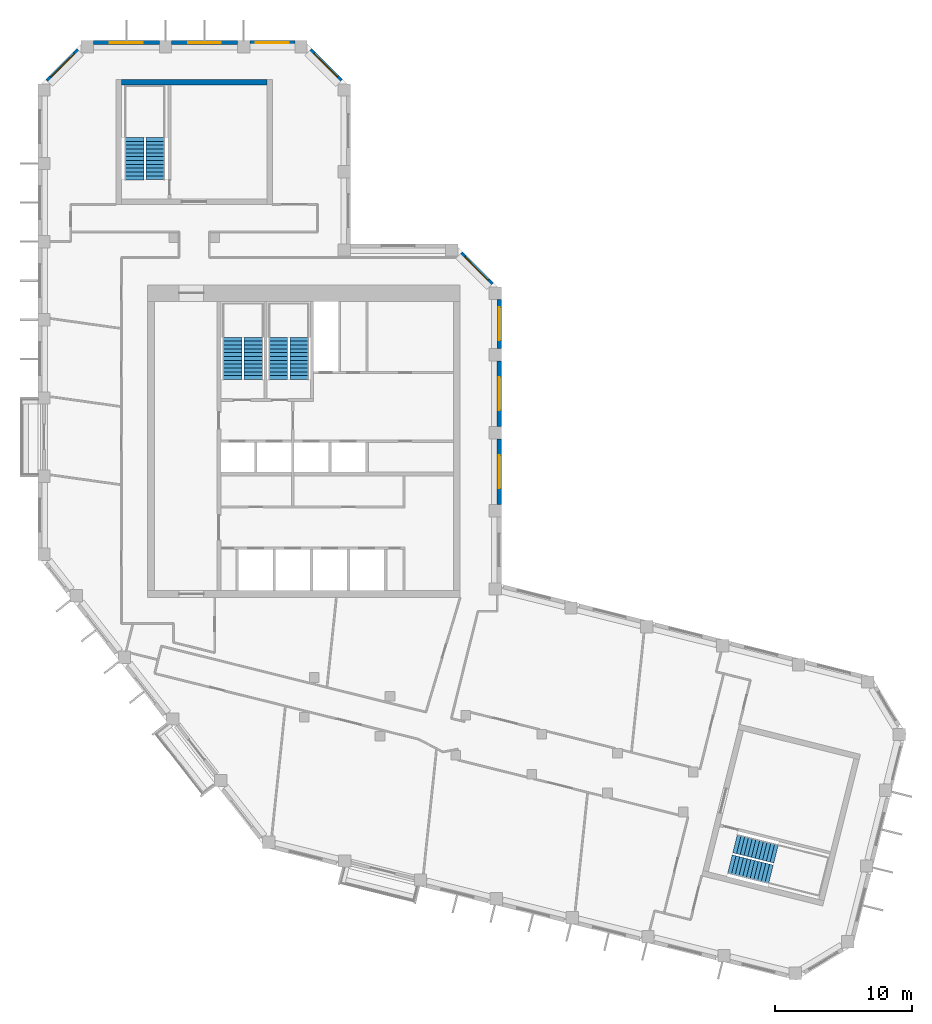
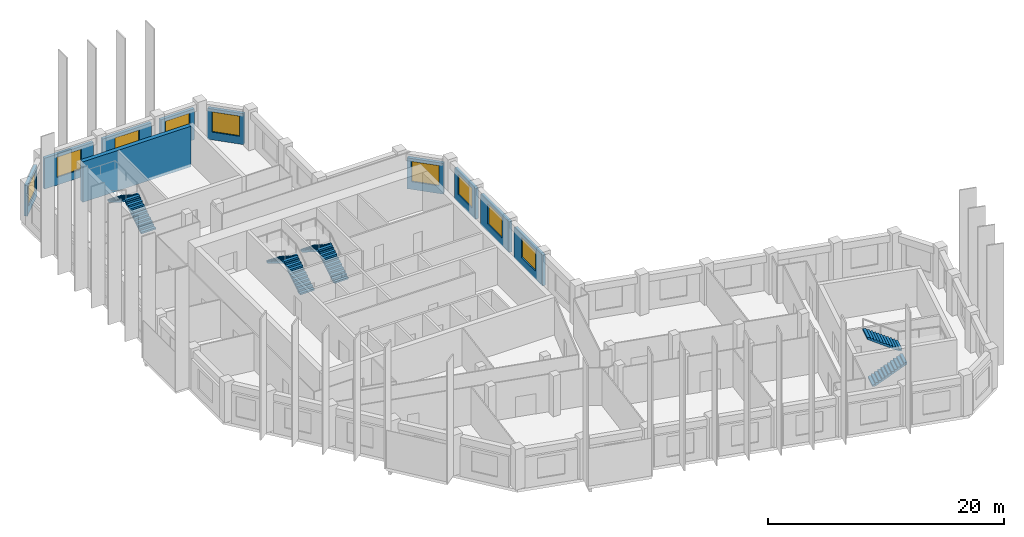
# One storey, part 7 of 8: 10 walls, 9 windows, 8 stair flights, 9 openings, 4 elements without a shape of their own.
"""IFC4 building model written with IfcOpenShell, lengths in metres."""

from ifc_helpers import new_model, si_unit, direction, frame, frame_2d, origin, place, context, subcontext, project, spatial, polyline, rectangle, outline, extrude, material, layer, layer_set, type_object, element, fill, aggregate, save


model = new_model("IFC4")

# Units and contexts
model_context = context("Model", 3, precision=1e-05, world=origin(), true_north=direction((0.0, 1.0)))
body_context = subcontext(model_context, "Body", "Model", "MODEL_VIEW")
ifc_project = project(units=[si_unit("LENGTHUNIT", "METRE"), si_unit("AREAUNIT", "SQUARE_METRE"), si_unit("VOLUMEUNIT", "CUBIC_METRE"), si_unit("PLANEANGLEUNIT", "RADIAN"), si_unit("MASSUNIT", "GRAM", prefix="KILO")], contexts=[model_context])

# Site, building, storey
site_placement = place(None, origin())
site = spatial("IfcSite", under=ifc_project, at=site_placement, CompositionType="ELEMENT")
building_placement = place(site_placement, origin())
building = spatial("IfcBuilding", under=site, at=building_placement, Name="Meshkara Civic Tower", CompositionType="ELEMENT")
storey_placement = place(building_placement, frame((0.0, 0.0, 387.60009765625)))
storey = spatial("IfcBuildingStorey", under=building, at=storey_placement, Name="L89", CompositionType="ELEMENT", Elevation=387.60009765625)

# Wall, opening, window
ifc_material_1 = material(Name="Insulated infill panel with bronze anodised aluminium cladding", Category="aluminium")
ifc_layer_1 = layer(ifc_material_1, 0.300048828125)
ifc_layer_set_1 = layer_set([ifc_layer_1], Name="EXTERNAL INFILL WALL 300")
wall_type_1 = type_object("IfcWallType", Name="EXTERNAL INFILL WALL 300", PredefinedType="SOLIDWALL", material=ifc_layer_set_1)
wall_1_placement = place(storey_placement, frame((33.64990234375, 20.868896484375, 0.0), z_axis=(0.0, 0.0, 1.0), x_axis=(0.0, 1.0, 0.0)))
wall_1 = element("IfcWall", 1, at=wall_1_placement, inside=storey, type_object=wall_type_1, Name="External wall", PredefinedType="SOLIDWALL", context=body_context, shape_type="SweptSolid", body=[
    extrude(rectangle(XDim=4.800048828125, YDim=0.300048828125, at=frame_2d((2.39990234375, 0.0))), origin(), (0.0, 0.0, 1.0), 3.199951171875),
])
opening_1_placement = place(wall_1_placement, frame((1.199951171875, 0.0, 0.800048828125)))
opening_1 = element("IfcOpeningElement", 2, at=opening_1_placement, cuts=wall_1, Name="Opening W7", PredefinedType="OPENING", context=body_context, shape_type="SweptSolid", body=[
    extrude(rectangle(XDim=2.39990234375, YDim=2.10009765625, at=frame_2d((1.199951171875, 1.050048828125))), frame((0.0, 0.159912109375, 0.0), z_axis=(0.0, -1.0, 0.0), x_axis=(1.0, 0.0, 0.0)), (0.0, 0.0, 1.0), 0.320068359375),
])
ifc_material_2 = material(Name="Tinted double glazing", Category="glass")
window_type = type_object("IfcWindowType", Name="WINDOW 2400x2100", PartitioningType="DOUBLE_PANEL_VERTICAL", PredefinedType="WINDOW", material=ifc_material_2)
window_1_placement = place(opening_1_placement, origin())
window_1 = element("IfcWindow", 3, at=window_1_placement, inside=storey, type_object=window_type, Name="Window", OverallHeight=2.10009765625, OverallWidth=2.39990234375, PartitioningType="DOUBLE_PANEL_VERTICAL", PredefinedType="WINDOW", context=body_context, shape_type="SweptSolid", body=[
    extrude(rectangle(XDim=2.39990234375, YDim=2.10009765625, at=frame_2d((1.199951171875, 1.050048828125))), frame((0.0, 0.030029296875, 0.0), z_axis=(0.0, -1.0, 0.0), x_axis=(1.0, 0.0, 0.0)), (0.0, 0.0, 1.0), 0.06005859375),
])
fill(opening_1, window_1)

wall_2_placement = place(storey_placement, frame((33.64990234375, 26.569091796875, 0.0), z_axis=(0.0, 0.0, 1.0), x_axis=(0.0, 1.0, 0.0)))
wall_2 = element("IfcWall", 4, at=wall_2_placement, inside=storey, type_object=wall_type_1, Name="External wall", PredefinedType="SOLIDWALL", context=body_context, shape_type="SweptSolid", body=[
    extrude(rectangle(XDim=4.7998046875, YDim=0.300048828125, at=frame_2d((2.39990234375, 0.0))), origin(), (0.0, 0.0, 1.0), 3.199951171875),
])
opening_2_placement = place(wall_2_placement, frame((1.199951171875, 0.0, 0.800048828125)))
opening_2 = element("IfcOpeningElement", 5, at=opening_2_placement, cuts=wall_2, Name="Opening W7", PredefinedType="OPENING", context=body_context, shape_type="SweptSolid", body=[
    extrude(rectangle(XDim=2.39990234375, YDim=2.10009765625, at=frame_2d((1.199951171875, 1.050048828125))), frame((0.0, 0.159912109375, 0.0), z_axis=(0.0, -1.0, 0.0), x_axis=(1.0, 0.0, 0.0)), (0.0, 0.0, 1.0), 0.320068359375),
])
window_2_placement = place(opening_2_placement, origin())
window_2 = element("IfcWindow", 6, at=window_2_placement, inside=storey, type_object=window_type, Name="Window", OverallHeight=2.10009765625, OverallWidth=2.39990234375, PartitioningType="DOUBLE_PANEL_VERTICAL", PredefinedType="WINDOW", context=body_context, shape_type="SweptSolid", body=[
    extrude(rectangle(XDim=2.39990234375, YDim=2.10009765625, at=frame_2d((1.199951171875, 1.050048828125))), frame((0.0, 0.030029296875, 0.0), z_axis=(0.0, -1.0, 0.0), x_axis=(1.0, 0.0, 0.0)), (0.0, 0.0, 1.0), 0.06005859375),
])
fill(opening_2, window_2)

wall_3_placement = place(storey_placement, frame((33.64990234375, 32.26904296875, 0.0), z_axis=(0.0, 0.0, 1.0), x_axis=(0.0, 1.0, 0.0)))
wall_3 = element("IfcWall", 7, at=wall_3_placement, inside=storey, type_object=wall_type_1, Name="External wall", PredefinedType="SOLIDWALL", context=body_context, shape_type="SweptSolid", body=[
    extrude(rectangle(XDim=3.574951171875, YDim=0.300048828125, at=frame_2d((1.78759765625, 0.0))), origin(), (0.0, 0.0, 1.0), 3.199951171875),
])
opening_3_placement = place(wall_3_placement, frame((0.587890625, 0.0, 0.800048828125)))
opening_3 = element("IfcOpeningElement", 8, at=opening_3_placement, cuts=wall_3, Name="Opening W7", PredefinedType="OPENING", context=body_context, shape_type="SweptSolid", body=[
    extrude(rectangle(XDim=2.39990234375, YDim=2.10009765625, at=frame_2d((1.199951171875, 1.050048828125))), frame((0.0, 0.159912109375, 0.0), z_axis=(0.0, -1.0, 0.0), x_axis=(1.0, 0.0, 0.0)), (0.0, 0.0, 1.0), 0.320068359375),
])
window_3_placement = place(opening_3_placement, origin())
window_3 = element("IfcWindow", 9, at=window_3_placement, inside=storey, type_object=window_type, Name="Window", OverallHeight=2.10009765625, OverallWidth=2.39990234375, PartitioningType="DOUBLE_PANEL_VERTICAL", PredefinedType="WINDOW", context=body_context, shape_type="SweptSolid", body=[
    extrude(rectangle(XDim=2.39990234375, YDim=2.10009765625, at=frame_2d((1.199951171875, 1.050048828125))), frame((0.0, 0.030029296875, 0.0), z_axis=(0.0, -1.0, 0.0), x_axis=(1.0, 0.0, 0.0)), (0.0, 0.0, 1.0), 0.06005859375),
])
fill(opening_3, window_3)

wall_4_placement = place(storey_placement, frame((33.112060546875, 36.9560546875, 0.0), z_axis=(0.0, 0.0, 1.0), x_axis=(-0.707145041435, 0.707068518868, 0.0)))
wall_4 = element("IfcWall", 10, at=wall_4_placement, inside=storey, type_object=wall_type_1, Name="External wall", PredefinedType="SOLIDWALL", context=body_context, shape_type="SweptSolid", body=[
    extrude(rectangle(XDim=3.1904296875, YDim=0.300048828125, at=frame_2d((1.59521484375, 0.0))), origin(), (0.0, 0.0, 1.0), 3.199951171875),
])
opening_4_placement = place(wall_4_placement, frame((0.39501953125, 0.0, 0.800048828125)))
opening_4 = element("IfcOpeningElement", 11, at=opening_4_placement, cuts=wall_4, Name="Opening W7", PredefinedType="OPENING", context=body_context, shape_type="SweptSolid", body=[
    extrude(rectangle(XDim=2.39990234375, YDim=2.10009765625, at=frame_2d((1.199951171875, 1.050048828125))), frame((0.0, 0.159912109375, 0.0), z_axis=(0.0, -1.0, 0.0), x_axis=(1.0, 0.0, 0.0)), (0.0, 0.0, 1.0), 0.320068359375),
])
window_4_placement = place(opening_4_placement, origin())
window_4 = element("IfcWindow", 12, at=window_4_placement, inside=storey, type_object=window_type, Name="Window", OverallHeight=2.10009765625, OverallWidth=2.39990234375, PartitioningType="DOUBLE_PANEL_VERTICAL", PredefinedType="WINDOW", context=body_context, shape_type="SweptSolid", body=[
    extrude(rectangle(XDim=2.39990234375, YDim=2.10009765625, at=frame_2d((1.199951171875, 1.050048828125))), frame((0.0, 0.030029296875, 0.0), z_axis=(0.0, -1.0, 0.0), x_axis=(1.0, 0.0, 0.0)), (0.0, 0.0, 1.0), 0.06005859375),
])
fill(opening_4, window_4)

wall_5_placement = place(storey_placement, frame((22.112060546875, 51.77587890625, 0.0), z_axis=(0.0, 0.0, 1.0), x_axis=(-0.707106781187, 0.707106781187, 0.0)))
wall_5 = element("IfcWall", 13, at=wall_5_placement, inside=storey, type_object=wall_type_1, Name="External wall", PredefinedType="SOLIDWALL", context=body_context, shape_type="SweptSolid", body=[
    extrude(rectangle(XDim=3.190673828125, YDim=0.300048828125, at=frame_2d((1.59521484375, 0.0))), origin(), (0.0, 0.0, 1.0), 3.199951171875),
])
opening_5_placement = place(wall_5_placement, frame((0.39501953125, 0.0, 0.800048828125)))
opening_5 = element("IfcOpeningElement", 14, at=opening_5_placement, cuts=wall_5, Name="Opening W7", PredefinedType="OPENING", context=body_context, shape_type="SweptSolid", body=[
    extrude(rectangle(XDim=2.39990234375, YDim=2.10009765625, at=frame_2d((1.199951171875, 1.050048828125))), frame((0.0, 0.159912109375, 0.0), z_axis=(0.0, -1.0, 0.0), x_axis=(1.0, 0.0, 0.0)), (0.0, 0.0, 1.0), 0.320068359375),
])
window_5_placement = place(opening_5_placement, origin())
window_5 = element("IfcWindow", 15, at=window_5_placement, inside=storey, type_object=window_type, Name="Window", OverallHeight=2.10009765625, OverallWidth=2.39990234375, PartitioningType="DOUBLE_PANEL_VERTICAL", PredefinedType="WINDOW", context=body_context, shape_type="SweptSolid", body=[
    extrude(rectangle(XDim=2.39990234375, YDim=2.10009765625, at=frame_2d((1.199951171875, 1.050048828125))), frame((0.0, 0.030029296875, 0.0), z_axis=(0.0, -1.0, 0.0), x_axis=(1.0, 0.0, 0.0)), (0.0, 0.0, 1.0), 0.06005859375),
])
fill(opening_5, window_5)

wall_6_placement = place(storey_placement, frame((18.743896484375, 54.570068359375, 0.0), z_axis=(0.0, 0.0, 1.0), x_axis=(-1.0, 0.0, 0.0)))
wall_6 = element("IfcWall", 16, at=wall_6_placement, inside=storey, type_object=wall_type_1, Name="External wall", PredefinedType="SOLIDWALL", context=body_context, shape_type="SweptSolid", body=[
    extrude(rectangle(XDim=3.287841796875, YDim=0.300048828125, at=frame_2d((1.64404296875, 0.0))), origin(), (0.0, 0.0, 1.0), 3.199951171875),
])
opening_6_placement = place(wall_6_placement, frame((0.444091796875, 0.0, 0.800048828125)))
opening_6 = element("IfcOpeningElement", 17, at=opening_6_placement, cuts=wall_6, Name="Opening W7", PredefinedType="OPENING", context=body_context, shape_type="SweptSolid", body=[
    extrude(rectangle(XDim=2.39990234375, YDim=2.10009765625, at=frame_2d((1.199951171875, 1.050048828125))), frame((0.0, 0.159912109375, 0.0), z_axis=(0.0, -1.0, 0.0), x_axis=(1.0, 0.0, 0.0)), (0.0, 0.0, 1.0), 0.320068359375),
])
window_6_placement = place(opening_6_placement, origin())
window_6 = element("IfcWindow", 18, at=window_6_placement, inside=storey, type_object=window_type, Name="Window", OverallHeight=2.10009765625, OverallWidth=2.39990234375, PartitioningType="DOUBLE_PANEL_VERTICAL", PredefinedType="WINDOW", context=body_context, shape_type="SweptSolid", body=[
    extrude(rectangle(XDim=2.39990234375, YDim=2.10009765625, at=frame_2d((1.199951171875, 1.050048828125))), frame((0.0, 0.030029296875, 0.0), z_axis=(0.0, -1.0, 0.0), x_axis=(1.0, 0.0, 0.0)), (0.0, 0.0, 1.0), 0.06005859375),
])
fill(opening_6, window_6)

wall_7_placement = place(storey_placement, frame((14.555908203125, 54.570068359375, 0.0), z_axis=(0.0, 0.0, 1.0), x_axis=(-1.0, 0.0, 0.0)))
wall_7 = element("IfcWall", 19, at=wall_7_placement, inside=storey, type_object=wall_type_1, Name="External wall", PredefinedType="SOLIDWALL", context=body_context, shape_type="SweptSolid", body=[
    extrude(rectangle(XDim=4.7998046875, YDim=0.300048828125, at=frame_2d((2.39990234375, 0.0))), origin(), (0.0, 0.0, 1.0), 3.199951171875),
])
opening_7_placement = place(wall_7_placement, frame((1.199951171875, 0.0, 0.800048828125)))
opening_7 = element("IfcOpeningElement", 20, at=opening_7_placement, cuts=wall_7, Name="Opening W7", PredefinedType="OPENING", context=body_context, shape_type="SweptSolid", body=[
    extrude(rectangle(XDim=2.39990234375, YDim=2.10009765625, at=frame_2d((1.199951171875, 1.050048828125))), frame((0.0, 0.159912109375, 0.0), z_axis=(0.0, -1.0, 0.0), x_axis=(1.0, 0.0, 0.0)), (0.0, 0.0, 1.0), 0.320068359375),
])
window_7_placement = place(opening_7_placement, origin())
window_7 = element("IfcWindow", 21, at=window_7_placement, inside=storey, type_object=window_type, Name="Window", OverallHeight=2.10009765625, OverallWidth=2.39990234375, PartitioningType="DOUBLE_PANEL_VERTICAL", PredefinedType="WINDOW", context=body_context, shape_type="SweptSolid", body=[
    extrude(rectangle(XDim=2.39990234375, YDim=2.10009765625, at=frame_2d((1.199951171875, 1.050048828125))), frame((0.0, 0.030029296875, 0.0), z_axis=(0.0, -1.0, 0.0), x_axis=(1.0, 0.0, 0.0)), (0.0, 0.0, 1.0), 0.06005859375),
])
fill(opening_7, window_7)

wall_8_placement = place(storey_placement, frame((8.85595703125, 54.570068359375, 0.0), z_axis=(0.0, 0.0, 1.0), x_axis=(-1.0, 0.0, 0.0)))
wall_8 = element("IfcWall", 22, at=wall_8_placement, inside=storey, type_object=wall_type_1, Name="External wall", PredefinedType="SOLIDWALL", context=body_context, shape_type="SweptSolid", body=[
    extrude(rectangle(XDim=4.800048828125, YDim=0.300048828125, at=frame_2d((2.39990234375, 0.0))), origin(), (0.0, 0.0, 1.0), 3.199951171875),
])
opening_8_placement = place(wall_8_placement, frame((1.199951171875, 0.0, 0.800048828125)))
opening_8 = element("IfcOpeningElement", 23, at=opening_8_placement, cuts=wall_8, Name="Opening W7", PredefinedType="OPENING", context=body_context, shape_type="SweptSolid", body=[
    extrude(rectangle(XDim=2.39990234375, YDim=2.10009765625, at=frame_2d((1.199951171875, 1.050048828125))), frame((0.0, 0.159912109375, 0.0), z_axis=(0.0, -1.0, 0.0), x_axis=(1.0, 0.0, 0.0)), (0.0, 0.0, 1.0), 0.320068359375),
])
window_8_placement = place(opening_8_placement, origin())
window_8 = element("IfcWindow", 24, at=window_8_placement, inside=storey, type_object=window_type, Name="Window", OverallHeight=2.10009765625, OverallWidth=2.39990234375, PartitioningType="DOUBLE_PANEL_VERTICAL", PredefinedType="WINDOW", context=body_context, shape_type="SweptSolid", body=[
    extrude(rectangle(XDim=2.39990234375, YDim=2.10009765625, at=frame_2d((1.199951171875, 1.050048828125))), frame((0.0, 0.030029296875, 0.0), z_axis=(0.0, -1.0, 0.0), x_axis=(1.0, 0.0, 0.0)), (0.0, 0.0, 1.0), 0.06005859375),
])
fill(opening_8, window_8)

wall_9_placement = place(storey_placement, frame((2.944091796875, 54.031982421875, 0.0), z_axis=(0.0, 0.0, 1.0), x_axis=(-0.707106781187, -0.707106781187, 0.0)))
wall_9 = element("IfcWall", 25, at=wall_9_placement, inside=storey, type_object=wall_type_1, Name="External wall", PredefinedType="SOLIDWALL", context=body_context, shape_type="SweptSolid", body=[
    extrude(rectangle(XDim=3.190673828125, YDim=0.300048828125, at=frame_2d((1.59521484375, 0.0))), origin(), (0.0, 0.0, 1.0), 3.199951171875),
])
opening_9_placement = place(wall_9_placement, frame((0.39501953125, 0.0, 0.800048828125)))
opening_9 = element("IfcOpeningElement", 26, at=opening_9_placement, cuts=wall_9, Name="Opening W7", PredefinedType="OPENING", context=body_context, shape_type="SweptSolid", body=[
    extrude(rectangle(XDim=2.39990234375, YDim=2.10009765625, at=frame_2d((1.199951171875, 1.050048828125))), frame((0.0, 0.159912109375, 0.0), z_axis=(0.0, -1.0, 0.0), x_axis=(1.0, 0.0, 0.0)), (0.0, 0.0, 1.0), 0.320068359375),
])
window_9_placement = place(opening_9_placement, origin())
window_9 = element("IfcWindow", 27, at=window_9_placement, inside=storey, type_object=window_type, Name="Window", OverallHeight=2.10009765625, OverallWidth=2.39990234375, PartitioningType="DOUBLE_PANEL_VERTICAL", PredefinedType="WINDOW", context=body_context, shape_type="SweptSolid", body=[
    extrude(rectangle(XDim=2.39990234375, YDim=2.10009765625, at=frame_2d((1.199951171875, 1.050048828125))), frame((0.0, 0.030029296875, 0.0), z_axis=(0.0, -1.0, 0.0), x_axis=(1.0, 0.0, 0.0)), (0.0, 0.0, 1.0), 0.06005859375),
])
fill(opening_9, window_9)

# Wall
ifc_material_3 = material(Name="Concrete C50", Category="concrete")
ifc_layer_2 = layer(ifc_material_3, 0.39990234375)
ifc_layer_set_2 = layer_set([ifc_layer_2], Name="End core ring wall 400 C50")
wall_type_2 = type_object("IfcWallType", Name="End core ring wall 400 C50", PredefinedType="SHEAR", material=ifc_layer_set_2)
wall_10_placement = place(storey_placement, frame((6.10009765625, 51.669921875, -0.300048828125), z_axis=(0.0, 0.0, 1.0), x_axis=(1.0, 0.0, 0.0)))
element("IfcWall", 28, at=wall_10_placement, inside=storey, type_object=wall_type_2, Name="L89-C030", PredefinedType="SHEAR", context=body_context, shape_type="SweptSolid", body=[
    extrude(rectangle(XDim=10.599853515625, YDim=0.39990234375, at=frame_2d((5.2998046875, 0.0))), origin(), (0.0, 0.0, 1.0), 4.199951171875),
])

# Stair, stair flights
ifc_material_4 = material(Name="Precast concrete C40/50", Category="concrete")
stair_type = type_object("IfcStairType", Name="Exit stair half-turn 24 risers precast", PredefinedType="HALF_TURN_STAIR", material=ifc_material_4)
stair_1_placement = place(storey_placement, origin())
stair_1 = element("IfcStair", 29, at=stair_1_placement, inside=storey, type_object=stair_type, Name="L89 exit stair 1", PredefinedType="HALF_TURN_STAIR")
ifc_material_5 = material(Name="Precast concrete C40/50", Category="concrete")
stair_flight_type = type_object("IfcStairFlightType", Name="Exit stair flight 12 risers precast", PredefinedType="STRAIGHT", material=ifc_material_5)
stair_flight_1_placement = place(storey_placement, frame((15.72509765625, 30.0, 0.0), z_axis=(0.0, 0.0, 1.0), x_axis=(0.0, 1.0, 0.0)))
stair_flight_1 = element("IfcStairFlight", 30, at=stair_flight_1_placement, type_object=stair_flight_type, Name="ST1 flight 1", NumberOfRisers=12, NumberOfTreads=11, PredefinedType="STRAIGHT", RiserHeight=0.175, TreadLength=0.28, context=body_context, shape_type="SweptSolid", body=[
    extrude(outline(polyline([(0.0, 0.0), (0.0, 0.175048828125), (0.280029296875, 0.175048828125), (0.280029296875, 0.35009765625), (0.56005859375, 0.35009765625), (0.56005859375, 0.52490234375), (0.840087890625, 0.52490234375), (0.840087890625, 0.699951171875), (1.1201171875, 0.699951171875), (1.1201171875, 0.875), (1.39990234375, 0.875), (1.39990234375, 1.050048828125), (1.679931640625, 1.050048828125), (1.679931640625, 1.22509765625), (1.9599609375, 1.22509765625), (1.9599609375, 1.39990234375), (2.239990234375, 1.39990234375), (2.239990234375, 1.574951171875), (2.52001953125, 1.574951171875), (2.52001953125, 1.75), (2.800048828125, 1.75), (2.800048828125, 1.925048828125), (3.080078125, 1.925048828125), (3.080078125, 2.10009765625), (3.080078125, 1.748291015625), (0.28271484375, 0.0), (0.0, 0.0)])), frame((0.0, 0.699951171875, 0.0), z_axis=(0.0, -1.0, 0.0), x_axis=(1.0, 0.0, 0.0)), (0.0, 0.0, 1.0), 1.39990234375),
])
stair_flight_2_placement = place(storey_placement, frame((14.175048828125, 33.080078125, 2.099853515625), z_axis=(0.0, 0.0, 1.0), x_axis=(0.0, -1.0, 0.0)))
stair_flight_2 = element("IfcStairFlight", 31, at=stair_flight_2_placement, type_object=stair_flight_type, Name="ST1 flight 2", NumberOfRisers=12, NumberOfTreads=11, PredefinedType="STRAIGHT", RiserHeight=0.175, TreadLength=0.28, context=body_context, shape_type="SweptSolid", body=[
    extrude(outline(polyline([(0.0, 0.0), (0.0, 0.175048828125), (0.280029296875, 0.175048828125), (0.280029296875, 0.35009765625), (0.56005859375, 0.35009765625), (0.56005859375, 0.52490234375), (0.840087890625, 0.52490234375), (0.840087890625, 0.699951171875), (1.1201171875, 0.699951171875), (1.1201171875, 0.875), (1.39990234375, 0.875), (1.39990234375, 1.050048828125), (1.679931640625, 1.050048828125), (1.679931640625, 1.22509765625), (1.9599609375, 1.22509765625), (1.9599609375, 1.39990234375), (2.239990234375, 1.39990234375), (2.239990234375, 1.574951171875), (2.52001953125, 1.574951171875), (2.52001953125, 1.75), (2.800048828125, 1.75), (2.800048828125, 1.925048828125), (3.080078125, 1.925048828125), (3.080078125, 2.10009765625), (3.080078125, 1.748291015625), (0.28271484375, 0.0), (0.0, 0.0)])), frame((0.0, 0.699951171875, 0.0), z_axis=(0.0, -1.0, 0.0), x_axis=(1.0, 0.0, 0.0)), (0.0, 0.0, 1.0), 1.39990234375),
])
aggregate(stair_1, [stair_flight_1, stair_flight_2])

stair_2_placement = place(storey_placement, origin())
stair_2 = element("IfcStair", 32, at=stair_2_placement, inside=storey, type_object=stair_type, Name="L89 exit stair 2", PredefinedType="HALF_TURN_STAIR")
stair_flight_3_placement = place(storey_placement, frame((19.074951171875, 30.0, 0.0), z_axis=(0.0, 0.0, 1.0), x_axis=(0.0, 1.0, 0.0)))
stair_flight_3 = element("IfcStairFlight", 33, at=stair_flight_3_placement, type_object=stair_flight_type, Name="ST2 flight 1", NumberOfRisers=12, NumberOfTreads=11, PredefinedType="STRAIGHT", RiserHeight=0.175, TreadLength=0.28, context=body_context, shape_type="SweptSolid", body=[
    extrude(outline(polyline([(0.0, 0.0), (0.0, 0.175048828125), (0.280029296875, 0.175048828125), (0.280029296875, 0.35009765625), (0.56005859375, 0.35009765625), (0.56005859375, 0.52490234375), (0.840087890625, 0.52490234375), (0.840087890625, 0.699951171875), (1.1201171875, 0.699951171875), (1.1201171875, 0.875), (1.39990234375, 0.875), (1.39990234375, 1.050048828125), (1.679931640625, 1.050048828125), (1.679931640625, 1.22509765625), (1.9599609375, 1.22509765625), (1.9599609375, 1.39990234375), (2.239990234375, 1.39990234375), (2.239990234375, 1.574951171875), (2.52001953125, 1.574951171875), (2.52001953125, 1.75), (2.800048828125, 1.75), (2.800048828125, 1.925048828125), (3.080078125, 1.925048828125), (3.080078125, 2.10009765625), (3.080078125, 1.748291015625), (0.28271484375, 0.0), (0.0, 0.0)])), frame((0.0, 0.699951171875, 0.0), z_axis=(0.0, -1.0, 0.0), x_axis=(1.0, 0.0, 0.0)), (0.0, 0.0, 1.0), 1.39990234375),
])
stair_flight_4_placement = place(storey_placement, frame((17.52490234375, 33.080078125, 2.099853515625), z_axis=(0.0, 0.0, 1.0), x_axis=(0.0, -1.0, 0.0)))
stair_flight_4 = element("IfcStairFlight", 34, at=stair_flight_4_placement, type_object=stair_flight_type, Name="ST2 flight 2", NumberOfRisers=12, NumberOfTreads=11, PredefinedType="STRAIGHT", RiserHeight=0.175, TreadLength=0.28, context=body_context, shape_type="SweptSolid", body=[
    extrude(outline(polyline([(0.0, 0.0), (0.0, 0.175048828125), (0.280029296875, 0.175048828125), (0.280029296875, 0.35009765625), (0.56005859375, 0.35009765625), (0.56005859375, 0.52490234375), (0.840087890625, 0.52490234375), (0.840087890625, 0.699951171875), (1.1201171875, 0.699951171875), (1.1201171875, 0.875), (1.39990234375, 0.875), (1.39990234375, 1.050048828125), (1.679931640625, 1.050048828125), (1.679931640625, 1.22509765625), (1.9599609375, 1.22509765625), (1.9599609375, 1.39990234375), (2.239990234375, 1.39990234375), (2.239990234375, 1.574951171875), (2.52001953125, 1.574951171875), (2.52001953125, 1.75), (2.800048828125, 1.75), (2.800048828125, 1.925048828125), (3.080078125, 1.925048828125), (3.080078125, 2.10009765625), (3.080078125, 1.748291015625), (0.28271484375, 0.0), (0.0, 0.0)])), frame((0.0, 0.699951171875, 0.0), z_axis=(0.0, -1.0, 0.0), x_axis=(1.0, 0.0, 0.0)), (0.0, 0.0, 1.0), 1.39990234375),
])
aggregate(stair_2, [stair_flight_3, stair_flight_4])

stair_3_placement = place(storey_placement, origin())
stair_3 = element("IfcStair", 35, at=stair_3_placement, inside=storey, type_object=stair_type, Name="L89 exit stair A from L80", PredefinedType="HALF_TURN_STAIR")
stair_flight_5_placement = place(storey_placement, frame((8.574951171875, 44.570068359375, 0.0), z_axis=(0.0, 0.0, 1.0), x_axis=(0.0, 1.0, 0.0)))
stair_flight_5 = element("IfcStairFlight", 36, at=stair_flight_5_placement, type_object=stair_flight_type, Name="ESA6 flight 1", NumberOfRisers=12, NumberOfTreads=11, PredefinedType="STRAIGHT", RiserHeight=0.175, TreadLength=0.28, context=body_context, shape_type="SweptSolid", body=[
    extrude(outline(polyline([(0.0, 0.0), (0.0, 0.175048828125), (0.280029296875, 0.175048828125), (0.280029296875, 0.35009765625), (0.56005859375, 0.35009765625), (0.56005859375, 0.52490234375), (0.840087890625, 0.52490234375), (0.840087890625, 0.699951171875), (1.1201171875, 0.699951171875), (1.1201171875, 0.875), (1.39990234375, 0.875), (1.39990234375, 1.050048828125), (1.679931640625, 1.050048828125), (1.679931640625, 1.22509765625), (1.9599609375, 1.22509765625), (1.9599609375, 1.39990234375), (2.239990234375, 1.39990234375), (2.239990234375, 1.574951171875), (2.52001953125, 1.574951171875), (2.52001953125, 1.75), (2.800048828125, 1.75), (2.800048828125, 1.925048828125), (3.080078125, 1.925048828125), (3.080078125, 2.10009765625), (3.080078125, 1.748291015625), (0.28271484375, 0.0), (0.0, 0.0)])), frame((0.0, 0.699951171875, 0.0), z_axis=(0.0, -1.0, 0.0), x_axis=(1.0, 0.0, 0.0)), (0.0, 0.0, 1.0), 1.39990234375),
])
stair_flight_6_placement = place(storey_placement, frame((7.02490234375, 47.64990234375, 2.099853515625), z_axis=(0.0, 0.0, 1.0), x_axis=(0.0, -1.0, 0.0)))
stair_flight_6 = element("IfcStairFlight", 37, at=stair_flight_6_placement, type_object=stair_flight_type, Name="ESA6 flight 2", NumberOfRisers=12, NumberOfTreads=11, PredefinedType="STRAIGHT", RiserHeight=0.175, TreadLength=0.28, context=body_context, shape_type="SweptSolid", body=[
    extrude(outline(polyline([(0.0, 0.0), (0.0, 0.175048828125), (0.280029296875, 0.175048828125), (0.280029296875, 0.35009765625), (0.56005859375, 0.35009765625), (0.56005859375, 0.52490234375), (0.840087890625, 0.52490234375), (0.840087890625, 0.699951171875), (1.1201171875, 0.699951171875), (1.1201171875, 0.875), (1.39990234375, 0.875), (1.39990234375, 1.050048828125), (1.679931640625, 1.050048828125), (1.679931640625, 1.22509765625), (1.9599609375, 1.22509765625), (1.9599609375, 1.39990234375), (2.239990234375, 1.39990234375), (2.239990234375, 1.574951171875), (2.52001953125, 1.574951171875), (2.52001953125, 1.75), (2.800048828125, 1.75), (2.800048828125, 1.925048828125), (3.080078125, 1.925048828125), (3.080078125, 2.10009765625), (3.080078125, 1.748291015625), (0.28271484375, 0.0), (0.0, 0.0)])), frame((0.0, 0.699951171875, 0.0), z_axis=(0.0, -1.0, 0.0), x_axis=(1.0, 0.0, 0.0)), (0.0, 0.0, 1.0), 1.39990234375),
])
aggregate(stair_3, [stair_flight_5, stair_flight_6])

stair_4_placement = place(storey_placement, origin())
stair_4 = element("IfcStair", 38, at=stair_4_placement, inside=storey, type_object=stair_type, Name="L89 exit stair B from L80", PredefinedType="HALF_TURN_STAIR")
stair_flight_7_placement = place(storey_placement, frame((50.47607421875, -5.344482421875, 0.0), z_axis=(0.0, 0.0, 1.0), x_axis=(0.9703185901, -0.241830175344, 0.0)))
stair_flight_7 = element("IfcStairFlight", 39, at=stair_flight_7_placement, type_object=stair_flight_type, Name="ESB6 flight 1", NumberOfRisers=12, NumberOfTreads=11, PredefinedType="STRAIGHT", RiserHeight=0.175, TreadLength=0.28, context=body_context, shape_type="SweptSolid", body=[
    extrude(outline(polyline([(0.0, 0.0), (0.0, 0.175048828125), (0.280029296875, 0.175048828125), (0.280029296875, 0.35009765625), (0.56005859375, 0.35009765625), (0.56005859375, 0.52490234375), (0.840087890625, 0.52490234375), (0.840087890625, 0.699951171875), (1.1201171875, 0.699951171875), (1.1201171875, 0.875), (1.39990234375, 0.875), (1.39990234375, 1.050048828125), (1.679931640625, 1.050048828125), (1.679931640625, 1.22509765625), (1.9599609375, 1.22509765625), (1.9599609375, 1.39990234375), (2.239990234375, 1.39990234375), (2.239990234375, 1.574951171875), (2.52001953125, 1.574951171875), (2.52001953125, 1.75), (2.800048828125, 1.75), (2.800048828125, 1.925048828125), (3.080078125, 1.925048828125), (3.080078125, 2.10009765625), (3.080078125, 1.748291015625), (0.28271484375, 0.0), (0.0, 0.0)])), frame((0.0, 0.699951171875, 0.0), z_axis=(0.0, -1.0, 0.0), x_axis=(1.0, 0.0, 0.0)), (0.0, 0.0, 1.0), 1.39990234375),
])
stair_flight_8_placement = place(storey_placement, frame((53.83935546875, -4.58544921875, 2.099853515625), z_axis=(0.0, 0.0, 1.0), x_axis=(-0.9703185901, 0.241830175344, 0.0)))
stair_flight_8 = element("IfcStairFlight", 40, at=stair_flight_8_placement, type_object=stair_flight_type, Name="ESB6 flight 2", NumberOfRisers=12, NumberOfTreads=11, PredefinedType="STRAIGHT", RiserHeight=0.175, TreadLength=0.28, context=body_context, shape_type="SweptSolid", body=[
    extrude(outline(polyline([(0.0, 0.0), (0.0, 0.175048828125), (0.280029296875, 0.175048828125), (0.280029296875, 0.35009765625), (0.56005859375, 0.35009765625), (0.56005859375, 0.52490234375), (0.840087890625, 0.52490234375), (0.840087890625, 0.699951171875), (1.1201171875, 0.699951171875), (1.1201171875, 0.875), (1.39990234375, 0.875), (1.39990234375, 1.050048828125), (1.679931640625, 1.050048828125), (1.679931640625, 1.22509765625), (1.9599609375, 1.22509765625), (1.9599609375, 1.39990234375), (2.239990234375, 1.39990234375), (2.239990234375, 1.574951171875), (2.52001953125, 1.574951171875), (2.52001953125, 1.75), (2.800048828125, 1.75), (2.800048828125, 1.925048828125), (3.080078125, 1.925048828125), (3.080078125, 2.10009765625), (3.080078125, 1.748291015625), (0.28271484375, 0.0), (0.0, 0.0)])), frame((0.0, 0.699951171875, 0.0), z_axis=(0.0, -1.0, 0.0), x_axis=(1.0, 0.0, 0.0)), (0.0, 0.0, 1.0), 1.39990234375),
])
aggregate(stair_4, [stair_flight_7, stair_flight_8])

save(model, "model.ifc")
